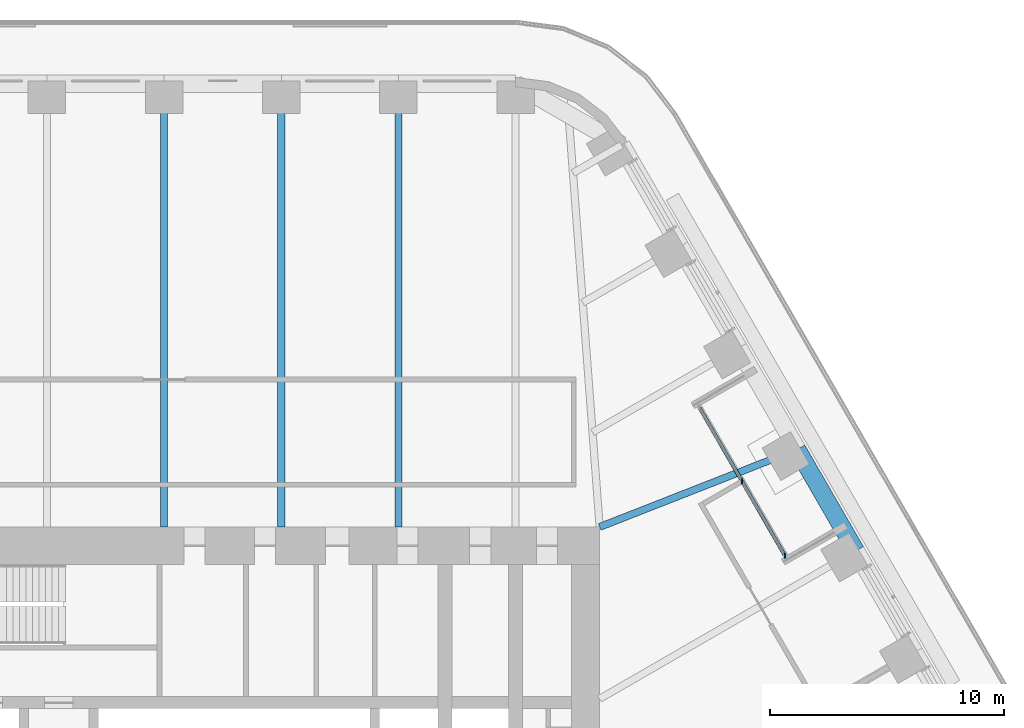
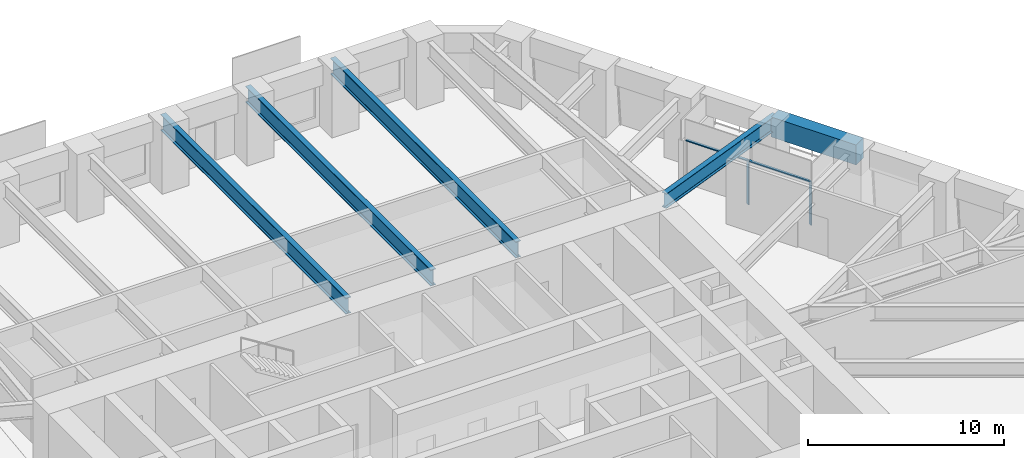
# One storey, part 11 of 24: 5 beams, 3 members, 1 element without a shape of its own.
"""IFC4 building model written with IfcOpenShell, lengths in metres."""

from ifc_helpers import new_model, si_unit, direction, frame, origin, origin_2d, place, context, subcontext, project, spatial, rectangle, i_section, extrude, material, material_profile, profile_set, type_object, element, aggregate, save


model = new_model("IFC4")

# Units and contexts
model_context = context("Model", 3, precision=1e-05, world=origin(), true_north=direction((0.0, 1.0)))
body_context = subcontext(model_context, "Body", "Model", "MODEL_VIEW")
ifc_project = project(units=[si_unit("LENGTHUNIT", "METRE"), si_unit("AREAUNIT", "SQUARE_METRE"), si_unit("VOLUMEUNIT", "CUBIC_METRE"), si_unit("PLANEANGLEUNIT", "RADIAN"), si_unit("MASSUNIT", "GRAM", prefix="KILO")], contexts=[model_context])

# Site, building, storey
site_placement = place(None, origin())
site = spatial("IfcSite", under=ifc_project, at=site_placement, CompositionType="ELEMENT")
building_placement = place(site_placement, origin())
building = spatial("IfcBuilding", under=site, at=building_placement, Name="Tarfa Lantern Tower", CompositionType="ELEMENT")
storey_placement = place(building_placement, frame((0.0, 0.0, 178.300048828125)))
storey = spatial("IfcBuildingStorey", under=building, at=storey_placement, Name="L40", CompositionType="ELEMENT", Elevation=178.300048828125)

# Curtain wall, members
ifc_material_1 = material(Name="Aluminium framed curtain wall", Category="aluminium")
curtain_wall_type = type_object("IfcCurtainWallType", Name="CW10 LOGGIA GLAZING 2750", PredefinedType="USERDEFINED", material=ifc_material_1)
curtain_wall_placement = place(storey_placement, origin())
curtain_wall = element("IfcCurtainWall", 1, at=curtain_wall_placement, inside=storey, type_object=curtain_wall_type, Name="CW10 NEL L40", ObjectType="CURTAIN WALL", PredefinedType="USERDEFINED")
ifc_material_2 = material(Name="Aluminium mullion", Category="aluminium")
ifc_material_profile_1 = material_profile(ifc_material_2, rectangle(XDim=0.06494140625, YDim=0.199951171875, at=origin_2d()), Name="AL MULLION 65x200")
ifc_profile_set_1 = profile_set([ifc_material_profile_1], Name="Aluminium mullion")
member_type_1 = type_object("IfcMemberType", Name="CWM1 MULLION 65x200", PredefinedType="MULLION", material=ifc_profile_set_1)
member_1_placement = place(storey_placement, frame((26.517333984375, 11.070556640625, 0.0), z_axis=(0.0, 0.0, 1.0), x_axis=(1.0, 0.0, 0.0)))
member_1 = element("IfcMember", 2, at=member_1_placement, type_object=member_type_1, Name="CW10 mullion 1", PredefinedType="MULLION", context=body_context, shape_type="SweptSolid", body=[
    extrude(rectangle(XDim=0.06494140625, YDim=0.199951171875, at=origin_2d()), origin(), (0.0, 0.0, 1.0), 2.75),
])
member_2_placement = place(storey_placement, frame((24.681640625, 14.25, 0.0), z_axis=(0.0, 0.0, 1.0), x_axis=(1.0, 0.0, 0.0)))
member_2 = element("IfcMember", 3, at=member_2_placement, type_object=member_type_1, Name="CW10 mullion 2", PredefinedType="MULLION", context=body_context, shape_type="SweptSolid", body=[
    extrude(rectangle(XDim=0.06494140625, YDim=0.199951171875, at=origin_2d()), origin(), (0.0, 0.0, 1.0), 2.75),
])
ifc_material_3 = material(Name="Aluminium transom", Category="aluminium")
ifc_material_profile_2 = material_profile(ifc_material_3, rectangle(XDim=0.14990234375, YDim=0.06494140625, at=origin_2d()), Name="AL TRANSOM 150x65")
ifc_profile_set_2 = profile_set([ifc_material_profile_2], Name="Aluminium transom")
member_type_2 = type_object("IfcMemberType", Name="CWT1 TRANSOM 150x65", PredefinedType="USERDEFINED", material=ifc_profile_set_2)
member_3_placement = place(storey_placement, frame((26.5009765625, 11.098876953125, 2.717529296875), z_axis=(-0.500007048974, 0.866021334019, 0.0), x_axis=(-0.866021334019, -0.500007048974, 0.0)))
member_3 = element("IfcMember", 4, at=member_3_placement, type_object=member_type_2, Name="CW10 transom 1.2", ObjectType="TRANSOM", PredefinedType="USERDEFINED", context=body_context, shape_type="SweptSolid", body=[
    extrude(rectangle(XDim=0.14990234375, YDim=0.06494140625, at=origin_2d()), origin(), (0.0, 0.0, 1.0), 7.27734375),
])
aggregate(curtain_wall, [member_1, member_2, member_3])

# Beams
ifc_material_4 = material(Name="Concrete C80/95", Category="concrete")
ifc_material_profile_3 = material_profile(ifc_material_4, rectangle(XDim=0.75, YDim=1.25, at=origin_2d()), Name="RC 750x1250")
ifc_profile_set_3 = profile_set([ifc_material_profile_3], Name="Concrete C80/95")
beam_type_1 = type_object("IfcBeamType", Name="EB2 RC 750x1250", PredefinedType="SPANDREL", material=ifc_profile_set_3)
beam_1_placement = place(storey_placement, frame((29.5390625, 11.276611328125, 3.375), z_axis=(-0.499964603504, 0.866045838996, 0.0), x_axis=(-0.866045838996, -0.499964603504, 0.0)))
element("IfcBeam", 5, at=beam_1_placement, inside=storey, type_object=beam_type_1, Name="Edge beam NE2", PredefinedType="SPANDREL", context=body_context, shape_type="SweptSolid", body=[
    extrude(rectangle(XDim=0.75, YDim=1.25, at=origin_2d()), origin(), (0.0, 0.0, 1.0), 5.003662109375),
])
ifc_material_5 = material(Name="Steel S460M", Category="steel")
ifc_material_profile_4 = material_profile(ifc_material_5, i_section(OverallWidth=0.302001953125, OverallDepth=1.008056640625, WebThickness=0.02099609375, FlangeThickness=0.0400390625, FilletRadius=0.030029296875, at=origin_2d()), Name="UB1016x305x349")
ifc_profile_set_4 = profile_set([ifc_material_profile_4], Name="Steel S460M")
beam_type_2 = type_object("IfcBeamType", Name="UB1016x305x349", PredefinedType="BEAM", material=ifc_profile_set_4)
for number, where, z_axis, x_axis, name in (
    (6, (10.00732421875, 31.219970703125, 3.495849609375), (0.0, -1.0, 0.0), (1.0, 0.0, 0.0), "Floor beam N1"),
    (7, (5.003662109375, 31.219970703125, 3.495849609375), (0.0, -1.0, 0.0), (1.0, 0.0, 0.0), "Floor beam N2"),
    (8, (0.0, 31.219970703125, 3.495849609375), (0.0, -1.0, 0.0), (1.0, 0.0, 0.0), "Floor beam N3"),
):
    element("IfcBeam", number, at=place(storey_placement, frame(where, z_axis=z_axis, x_axis=x_axis)), inside=storey, type_object=beam_type_2, Name=name, PredefinedType="BEAM", context=body_context, shape_type="SweptSolid", body=[
        extrude(i_section(OverallWidth=0.302001953125, OverallDepth=1.008056640625, WebThickness=0.02099609375, FlangeThickness=0.0400390625, FilletRadius=0.030029296875, at=origin_2d()), origin(), (0.0, 0.0, 1.0), 18.919921875),
    ])
ifc_material_profile_5 = material_profile(ifc_material_5, i_section(OverallWidth=0.305419921875, OverallDepth=0.91845703125, WebThickness=0.017333984375, FlangeThickness=0.02783203125, FilletRadius=0.01904296875, at=origin_2d()), Name="UB914x305x253")
ifc_profile_set_5 = profile_set([ifc_material_profile_5], Name="Steel S460M")
beam_type_3 = type_object("IfcBeamType", Name="UB914x305x253", PredefinedType="BEAM", material=ifc_profile_set_5)
beam_2_placement = place(storey_placement, frame((27.037353515625, 15.610107421875, 3.540771484375), z_axis=(-0.930923282782, -0.365214788274, 0.0), x_axis=(0.365214788274, -0.930923282782, 0.0)))
element("IfcBeam", 9, at=beam_2_placement, inside=storey, type_object=beam_type_3, Name="Floor beam NE3", PredefinedType="BEAM", context=body_context, shape_type="SweptSolid", body=[
    extrude(i_section(OverallWidth=0.305419921875, OverallDepth=0.91845703125, WebThickness=0.017333984375, FlangeThickness=0.02783203125, FilletRadius=0.01904296875, at=origin_2d()), origin(), (0.0, 0.0, 1.0), 9.063232421875),
])

save(model, "model.ifc")
